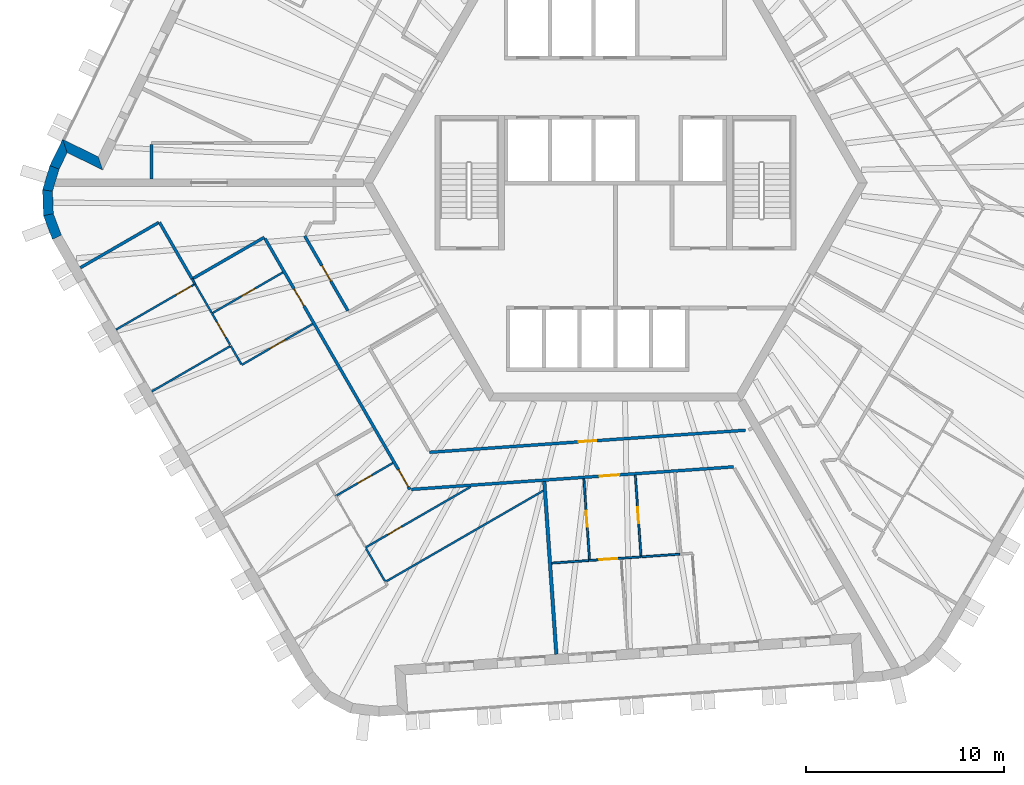
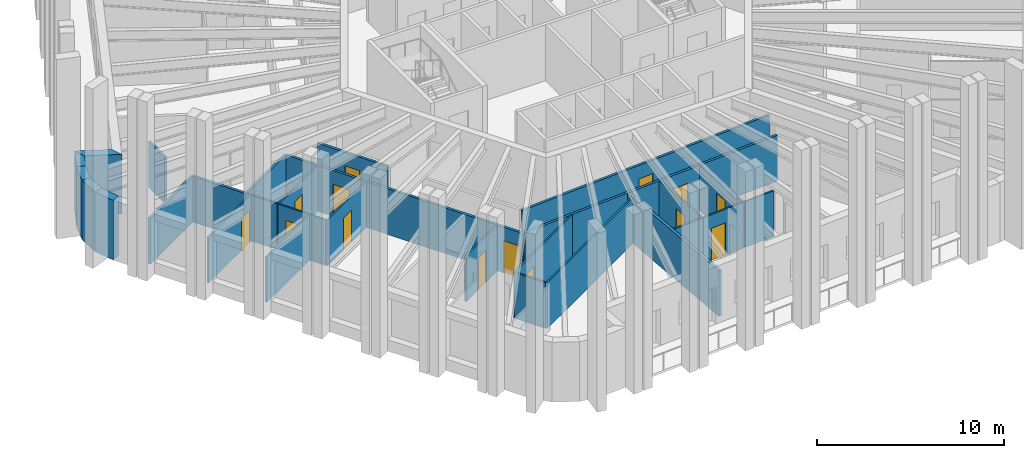
# One storey, part 4 of 13: 31 walls, 14 doors, 14 openings.
"""IFC4 building model written with IfcOpenShell, lengths in metres."""

import ifcopenshell
import ifcopenshell.guid

model = None  # the IFC model being written
_history = None  # IfcOwnerHistory: only IFC2X3 demands one
_inside = {}  # id of a spatial element -> (the spatial element, [elements in it])
_under = {}  # id of a project, library or spatial element -> (it, [spatial elements below it])
_declared = {}  # id of a project -> (the project, [libraries it declares])
_typed = {}  # id of a type object -> (the type object, [elements of that type])
_made_of = {}  # id of a material, layer set ... -> (it, [elements and type objects made of it])


def new_model(schema):
    """Start an empty IFC model of exactly this schema.

    Asked for "IFC4X3", IfcOpenShell would pick the latest addendum, in which some entities
    have other attributes; the version numbers below select the first issue.
    IFC2X3 requires an IfcOwnerHistory on every rooted entity: one is made here for all.
    """
    global model, _history
    if schema == "IFC4X3":
        model = ifcopenshell.file(schema_version=(4, 3, 0, 0))
    else:
        model = ifcopenshell.file(schema=schema)
    _inside.clear()
    _under.clear()
    _declared.clear()
    _typed.clear()
    _made_of.clear()
    _history = None
    if model.schema == "IFC2X3":
        org = make("IfcOrganization", Name="unknown")
        user = make(
            "IfcPersonAndOrganization",
            ThePerson=make("IfcPerson", FamilyName="unknown"),
            TheOrganization=org,
        )
        app = make(
            "IfcApplication",
            ApplicationDeveloper=org,
            Version="unknown",
            ApplicationFullName="unknown",
            ApplicationIdentifier="unknown",
        )
        _history = make(
            "IfcOwnerHistory",
            OwningUser=user,
            OwningApplication=app,
            ChangeAction="ADDED",
            CreationDate=0,
        )
    return model


def make(cls, **values):
    """One entity of the class cls with the attributes given. An attribute that is None is left unset."""
    return model.create_entity(
        cls, **{name: value for name, value in values.items() if value is not None}
    )


def rooted(cls, **values):
    """An entity with a GlobalId (a new one), such as an element, a storey or a relation."""
    return make(cls, GlobalId=ifcopenshell.guid.new(), OwnerHistory=_history, **values)


def si_unit(unit_type, name, prefix=None):
    """IfcSIUnit, for example si_unit("LENGTHUNIT", "METRE", prefix="MILLI")."""
    return make("IfcSIUnit", UnitType=unit_type, Prefix=prefix, Name=name)


def assignment(units):
    """IfcUnitAssignment: the units of a project."""
    return None if units is None else make("IfcUnitAssignment", Units=units)


def point(xyz):
    """IfcCartesianPoint."""
    return None if xyz is None else make("IfcCartesianPoint", Coordinates=xyz)


def direction(xyz):
    """IfcDirection."""
    return None if xyz is None else make("IfcDirection", DirectionRatios=xyz)


def frame(location, z_axis=None, x_axis=None):
    """IfcAxis2Placement3D, a coordinate frame: its origin and axes. An axis left out is left unset."""
    return make(
        "IfcAxis2Placement3D",
        Location=point(location),
        Axis=direction(z_axis),
        RefDirection=direction(x_axis),
    )


def frame_2d(location, x_axis=None):
    """IfcAxis2Placement2D, a coordinate frame in the plane: its origin and x axis."""
    return make(
        "IfcAxis2Placement2D", Location=point(location), RefDirection=direction(x_axis)
    )


def origin():
    """The frame at (0, 0, 0) with its axes left unset."""
    return frame((0.0, 0.0, 0.0))


def place(relative_to, where):
    """IfcLocalPlacement: puts the frame where relative to a parent placement (None: the world)."""
    return make(
        "IfcLocalPlacement", PlacementRelTo=relative_to, RelativePlacement=where
    )


def context(
    kind, dimensions, precision=None, world=None, true_north=None, identifier=None
):
    """IfcGeometricRepresentationContext, for example the 3D "Model" context."""
    return make(
        "IfcGeometricRepresentationContext",
        ContextIdentifier=identifier,
        ContextType=kind,
        CoordinateSpaceDimension=dimensions,
        Precision=precision,
        WorldCoordinateSystem=world,
        TrueNorth=true_north,
    )


def subcontext(parent, identifier, kind, view, scale=None):
    """IfcGeometricRepresentationSubContext, for example "Body" below "Model"."""
    return make(
        "IfcGeometricRepresentationSubContext",
        ContextIdentifier=identifier,
        ContextType=kind,
        ParentContext=parent,
        TargetScale=scale,
        TargetView=view,
    )


def project(units=None, contexts=None):
    """IfcProject with its units and contexts."""
    return rooted(
        "IfcProject",
        Name="project",
        RepresentationContexts=contexts,
        UnitsInContext=assignment(units),
    )


def spatial(cls, under=None, at=None, **own):
    """A site, building, storey or space (cls), placed at a placement, below another one or the project."""
    s = rooted(cls, ObjectPlacement=at, **own)
    if under is not None:
        _under.setdefault(under.id(), (under, []))[1].append(s)
    return s


def polyline(points):
    """IfcPolyline through the points."""
    return make("IfcPolyline", Points=[point(p) for p in points])


def profile(cls, at=None, kind="AREA", **sizes):
    """A parametric profile (cls). Its sizes go by their IFC names, for example OverallWidth=200.0."""
    return make(cls, ProfileType=kind, Position=at, **sizes)


def rectangle(**sizes):
    """IfcRectangleProfileDef."""
    return profile("IfcRectangleProfileDef", **sizes)


def outline(outer, holes=None, kind="AREA"):
    """IfcArbitraryClosedProfileDef: a profile drawn as a closed curve; with holes, ...WithVoids."""
    if holes is None:
        return make("IfcArbitraryClosedProfileDef", ProfileType=kind, OuterCurve=outer)
    return make(
        "IfcArbitraryProfileDefWithVoids",
        ProfileType=kind,
        OuterCurve=outer,
        InnerCurves=holes,
    )


def extrude(swept, where, along, depth):
    """IfcExtrudedAreaSolid: the profile swept, set in the frame where, extruded along a direction by depth."""
    return make(
        "IfcExtrudedAreaSolid",
        SweptArea=swept,
        Position=where,
        ExtrudedDirection=direction(along),
        Depth=depth,
    )


def shape(context_of_items, identifier, shape_type, items):
    """IfcShapeRepresentation: the items that make up one representation, for example the "Body"."""
    return make(
        "IfcShapeRepresentation",
        ContextOfItems=context_of_items,
        RepresentationIdentifier=identifier,
        RepresentationType=shape_type,
        Items=items,
    )


def material(Name=None, Category=None):
    """IfcMaterial."""
    return make("IfcMaterial", Name=Name, Category=Category)


def layer(
    of_material, thickness, ventilated=None, Name=None, Category=None, Priority=None
):
    """IfcMaterialLayer: one layer of a wall or slab, of a material (None: an air gap)."""
    return make(
        "IfcMaterialLayer",
        Material=of_material,
        LayerThickness=thickness,
        IsVentilated=ventilated,
        Name=Name,
        Category=Category,
        Priority=Priority,
    )


def layer_set(layers, Name=None):
    """IfcMaterialLayerSet."""
    return make("IfcMaterialLayerSet", MaterialLayers=layers, LayerSetName=Name)


def made_of(thing, what):
    """Note that an element or type object is made of a material, layer set ...; save() writes the relation."""
    if what is not None:
        _made_of.setdefault(what.id(), (what, []))[1].append(thing)
    return thing


def type_object(cls, material=None, **own):
    """A type object (cls), such as IfcWallType, which elements share."""
    return made_of(rooted(cls, **own), material)


def element(
    cls,
    number,
    at=None,
    inside=None,
    cuts=None,
    type_object=None,
    material=None,
    context=None,
    identifier="Body",
    shape_type=None,
    held_by="IfcProductDefinitionShape",
    body=None,
    shapes=None,
    **own,
):
    """One element of the class cls, such as IfcWall. Its Tag is "e" and its number.

    at: its placement. inside: the storey or other place that contains it. cuts: it is an
    opening in that element (IfcRelVoidsElement). A single representation is given by context,
    identifier, shape_type and body (its items); several are given by shapes. held_by: the class
    of the entity that holds the representations. save() writes the other relations.
    """
    e = rooted(cls, Tag="e%d" % number, ObjectPlacement=at, **own)
    if body is not None:
        shapes = [shape(context, identifier, shape_type, body)]
    if shapes is not None:
        e.Representation = make(held_by, Representations=shapes)
    if inside is not None:
        _inside.setdefault(inside.id(), (inside, []))[1].append(e)
    if cuts is not None:
        rooted(
            "IfcRelVoidsElement", RelatingBuildingElement=cuts, RelatedOpeningElement=e
        )
    if type_object is not None:
        _typed.setdefault(type_object.id(), (type_object, []))[1].append(e)
    return made_of(e, material)


def fill(opening, filler):
    """IfcRelFillsElement: the door or window that sits in an opening."""
    return rooted(
        "IfcRelFillsElement",
        RelatingOpeningElement=opening,
        RelatedBuildingElement=filler,
    )


def aggregate(whole, parts):
    """IfcRelAggregates: a whole, such as a stair, and the parts it consists of."""
    return rooted("IfcRelAggregates", RelatingObject=whole, RelatedObjects=parts)


def save(model, path):
    """Write the relations noted so far, then the file.

    IfcRelAggregates (storeys below a building ...), IfcRelContainedInSpatialStructure (elements
    in a storey), IfcRelDefinesByType, IfcRelAssociatesMaterial and IfcRelDeclares: one each for
    every whole, place, type object, material and project.
    """
    for whole, parts in _under.values():
        aggregate(whole, parts)
    for where, things in _inside.values():
        rooted(
            "IfcRelContainedInSpatialStructure",
            RelatedElements=things,
            RelatingStructure=where,
        )
    for kind, things in _typed.values():
        rooted("IfcRelDefinesByType", RelatedObjects=things, RelatingType=kind)
    for what, things in _made_of.values():
        rooted("IfcRelAssociatesMaterial", RelatedObjects=things, RelatingMaterial=what)
    for by, libraries in _declared.values():
        rooted("IfcRelDeclares", RelatingContext=by, RelatedDefinitions=libraries)
    model.write(path)


model = new_model("IFC4")

# Units and contexts
model_context = context("Model", 3, precision=1e-05, world=origin(), true_north=direction((0.0, 1.0)))
body_context = subcontext(model_context, "Body", "Model", "MODEL_VIEW")
ifc_project = project(units=[si_unit("LENGTHUNIT", "METRE"), si_unit("AREAUNIT", "SQUARE_METRE"), si_unit("VOLUMEUNIT", "CUBIC_METRE"), si_unit("PLANEANGLEUNIT", "RADIAN"), si_unit("MASSUNIT", "GRAM", prefix="KILO")], contexts=[model_context])

# Site, building, storey
site_placement = place(None, origin())
site = spatial("IfcSite", under=ifc_project, at=site_placement, CompositionType="ELEMENT")
building_placement = place(site_placement, origin())
building = spatial("IfcBuilding", under=site, at=building_placement, Name="Tarnside Tower", CompositionType="ELEMENT")
storey_placement = place(building_placement, frame((0.0, 0.0, 314.699951171875)))
storey = spatial("IfcBuildingStorey", under=building, at=storey_placement, Name="L76", CompositionType="ELEMENT", Elevation=314.699951171875)

# Wall, opening, door
ifc_material_1 = material(Name="Gypsum board partition on steel studs", Category="steel")
ifc_layer_1 = layer(ifc_material_1, 0.10009765625)
ifc_layer_set_1 = layer_set([ifc_layer_1], Name="Bathroom wall 100")
wall_type_1 = type_object("IfcWallType", Name="Bathroom wall 100", PredefinedType="PARTITIONING", material=ifc_layer_set_1)
wall_1_placement = place(storey_placement, frame((-16.76123046875, -4.518798828125, 0.0), z_axis=(0.0, 0.0, 1.0), x_axis=(-0.866019999656, -0.500009360108, 0.0)))
wall_1 = element("IfcWall", 1, at=wall_1_placement, inside=storey, type_object=wall_type_1, Name="Bathroom wall 25118", PredefinedType="PARTITIONING", context=body_context, shape_type="SweptSolid", body=[
    extrude(rectangle(XDim=4.125, YDim=0.10009765625, at=frame_2d((2.0625, 0.0))), origin(), (0.0, 0.0, 1.0), 2.98779296875),
])
opening_1_placement = place(wall_1_placement, frame((1.625, 0.0, 0.0)))
opening_1 = element("IfcOpeningElement", 2, at=opening_1_placement, cuts=wall_1, Name="Opening D-B1", PredefinedType="OPENING", context=body_context, shape_type="SweptSolid", body=[
    extrude(rectangle(XDim=0.800048828125, YDim=2.10009765625, at=frame_2d((0.39990234375, 1.050048828125))), frame((0.0, 0.06005859375, 0.0), z_axis=(0.0, -1.0, 0.0), x_axis=(1.0, 0.0, 0.0)), (0.0, 0.0, 1.0), 0.1201171875),
])
ifc_material_2 = material(Name="Timber door leaf", Category="wood")
door_type_1 = type_object("IfcDoorType", Name="Bathroom door 800", OperationType="NOTDEFINED", PredefinedType="DOOR", material=ifc_material_2)
door_1_placement = place(opening_1_placement, origin())
door_1 = element("IfcDoor", 3, at=door_1_placement, inside=storey, type_object=door_type_1, Name="Bathroom door 25023", OperationType="SINGLE_SWING_RIGHT", OverallHeight=2.10009765625, OverallWidth=0.800048828125, PredefinedType="DOOR", context=body_context, shape_type="SweptSolid", body=[
    extrude(rectangle(XDim=0.800048828125, YDim=2.10009765625, at=frame_2d((0.39990234375, 1.050048828125))), frame((0.0, 0.02490234375, 0.0), z_axis=(0.0, -1.0, 0.0), x_axis=(1.0, 0.0, 0.0)), (0.0, 0.0, 1.0), 0.050048828125),
])
fill(opening_1, door_1)

# Walls
wall_2_placement = place(storey_placement, frame((-21.33447265625, -4.84765625, 0.0), z_axis=(0.0, 0.0, 1.0), x_axis=(0.500249908544, -0.865881070934, 0.0)))
element("IfcWall", 4, at=wall_2_placement, inside=storey, type_object=wall_type_1, Name="Bathroom wall 25120", PredefinedType="PARTITIONING", context=body_context, shape_type="SweptSolid", body=[
    extrude(rectangle(XDim=0.293701171875, YDim=0.10009765625, at=frame_2d((0.14697265625, 0.0))), origin(), (0.0, 0.0, 1.0), 2.98779296875),
])
wall_3_placement = place(storey_placement, frame((-21.1875, -5.10205078125, 0.0), z_axis=(0.0, 0.0, 1.0), x_axis=(0.499998264499, -0.866026405774, 0.0)))
element("IfcWall", 5, at=wall_3_placement, inside=storey, type_object=wall_type_1, Name="Bathroom wall 25121", PredefinedType="PARTITIONING", context=body_context, shape_type="SweptSolid", body=[
    extrude(rectangle(XDim=1.66015625, YDim=0.10009765625, at=frame_2d((0.830078125, 0.0))), origin(), (0.0, 0.0, 1.0), 2.98779296875),
])
wall_4_placement = place(storey_placement, frame((-3.640625, -15.525146484375, 0.0), z_axis=(0.0, 0.0, 1.0), x_axis=(-0.866026229868, -0.499998569178, 0.0)))
element("IfcWall", 6, at=wall_4_placement, inside=storey, type_object=wall_type_1, Name="Bathroom wall 25125", PredefinedType="PARTITIONING", context=body_context, shape_type="SweptSolid", body=[
    extrude(rectangle(XDim=9.1845703125, YDim=0.10009765625, at=frame_2d((4.59228515625, 0.0))), origin(), (0.0, 0.0, 1.0), 2.98779296875),
])

# Wall, opening, door
wall_5_placement = place(storey_placement, frame((-11.215087890625, -14.124755859375, 0.0), z_axis=(0.0, 0.0, 1.0), x_axis=(-0.866020521143, -0.500008456887, 0.0)))
wall_5 = element("IfcWall", 7, at=wall_5_placement, inside=storey, type_object=wall_type_1, Name="Bathroom wall 25128", PredefinedType="PARTITIONING", context=body_context, shape_type="SweptSolid", body=[
    extrude(rectangle(XDim=3.3251953125, YDim=0.10009765625, at=frame_2d((1.66259765625, 0.0))), origin(), (0.0, 0.0, 1.0), 2.98779296875),
])
opening_2_placement = place(wall_5_placement, frame((1.22509765625, 0.0, 0.0)))
opening_2 = element("IfcOpeningElement", 8, at=opening_2_placement, cuts=wall_5, Name="Opening D-B1", PredefinedType="OPENING", context=body_context, shape_type="SweptSolid", body=[
    extrude(rectangle(XDim=0.800048828125, YDim=2.10009765625, at=frame_2d((0.39990234375, 1.050048828125))), frame((0.0, 0.06005859375, 0.0), z_axis=(0.0, -1.0, 0.0), x_axis=(1.0, 0.0, 0.0)), (0.0, 0.0, 1.0), 0.1201171875),
])
door_2_placement = place(opening_2_placement, origin())
door_2 = element("IfcDoor", 9, at=door_2_placement, inside=storey, type_object=door_type_1, Name="Bathroom door 25030", OperationType="SINGLE_SWING_RIGHT", OverallHeight=2.10009765625, OverallWidth=0.800048828125, PredefinedType="DOOR", context=body_context, shape_type="SweptSolid", body=[
    extrude(rectangle(XDim=0.800048828125, YDim=2.10009765625, at=frame_2d((0.39990234375, 1.050048828125))), frame((0.0, 0.02490234375, 0.0), z_axis=(0.0, -1.0, 0.0), x_axis=(1.0, 0.0, 0.0)), (0.0, 0.0, 1.0), 0.050048828125),
])
fill(opening_2, door_2)

wall_6_placement = place(storey_placement, frame((-12.5947265625, -18.38525390625, 0.0), z_axis=(0.0, 0.0, 1.0), x_axis=(0.866031041839, 0.499990234476, 0.0)))
wall_6 = element("IfcWall", 10, at=wall_6_placement, inside=storey, type_object=wall_type_1, Name="Bathroom wall 25131", PredefinedType="PARTITIONING", context=body_context, shape_type="SweptSolid", body=[
    extrude(rectangle(XDim=6.12939453125, YDim=0.10009765625, at=frame_2d((3.064697265625, 0.0))), origin(), (0.0, 0.0, 1.0), 2.98779296875),
])
opening_3_placement = place(wall_6_placement, frame((1.300048828125, 0.0, 0.0)))
opening_3 = element("IfcOpeningElement", 11, at=opening_3_placement, cuts=wall_6, Name="Opening D-B1", PredefinedType="OPENING", context=body_context, shape_type="SweptSolid", body=[
    extrude(rectangle(XDim=0.800048828125, YDim=2.10009765625, at=frame_2d((0.39990234375, 1.050048828125))), frame((0.0, 0.06005859375, 0.0), z_axis=(0.0, -1.0, 0.0), x_axis=(1.0, 0.0, 0.0)), (0.0, 0.0, 1.0), 0.1201171875),
])
door_3_placement = place(opening_3_placement, origin())
door_3 = element("IfcDoor", 12, at=door_3_placement, inside=storey, type_object=door_type_1, Name="Bathroom door 25037", OperationType="SINGLE_SWING_RIGHT", OverallHeight=2.10009765625, OverallWidth=0.800048828125, PredefinedType="DOOR", context=body_context, shape_type="SweptSolid", body=[
    extrude(rectangle(XDim=0.800048828125, YDim=2.10009765625, at=frame_2d((0.39990234375, 1.050048828125))), frame((0.0, 0.02490234375, 0.0), z_axis=(0.0, -1.0, 0.0), x_axis=(1.0, 0.0, 0.0)), (0.0, 0.0, 1.0), 0.050048828125),
])
fill(opening_3, door_3)

# Wall
wall_7_placement = place(storey_placement, frame((-11.61962890625, -20.073974609375, 0.0), z_axis=(0.0, 0.0, 1.0), x_axis=(-0.500119165741, 0.865956592479, 0.0)))
element("IfcWall", 13, at=wall_7_placement, inside=storey, type_object=wall_type_1, Name="Bathroom wall 25134", PredefinedType="PARTITIONING", context=body_context, shape_type="SweptSolid", body=[
    extrude(rectangle(XDim=1.89990234375, YDim=0.10009765625, at=frame_2d((0.949951171875, 0.0))), origin(), (0.0, 0.0, 1.0), 2.98779296875),
])

# Wall, opening, door
wall_8_placement = place(storey_placement, frame((-1.587646484375, -14.922119140625, 0.0), z_axis=(0.0, 0.0, 1.0), x_axis=(0.069720168556, -0.997566588302, 0.0)))
wall_8 = element("IfcWall", 14, at=wall_8_placement, inside=storey, type_object=wall_type_1, Name="Bathroom wall 25139", PredefinedType="PARTITIONING", context=body_context, shape_type="SweptSolid", body=[
    extrude(rectangle(XDim=4.125, YDim=0.10009765625, at=frame_2d((2.0625, 0.0))), origin(), (0.0, 0.0, 1.0), 2.98779296875),
])
opening_4_placement = place(wall_8_placement, frame((1.625, 0.0, 0.0)))
opening_4 = element("IfcOpeningElement", 15, at=opening_4_placement, cuts=wall_8, Name="Opening D-B1", PredefinedType="OPENING", context=body_context, shape_type="SweptSolid", body=[
    extrude(rectangle(XDim=0.800048828125, YDim=2.10009765625, at=frame_2d((0.39990234375, 1.050048828125))), frame((0.0, 0.06005859375, 0.0), z_axis=(0.0, -1.0, 0.0), x_axis=(1.0, 0.0, 0.0)), (0.0, 0.0, 1.0), 0.1201171875),
])
door_4_placement = place(opening_4_placement, origin())
door_4 = element("IfcDoor", 16, at=door_4_placement, inside=storey, type_object=door_type_1, Name="Bathroom door 25039", OperationType="SINGLE_SWING_RIGHT", OverallHeight=2.10009765625, OverallWidth=0.800048828125, PredefinedType="DOOR", context=body_context, shape_type="SweptSolid", body=[
    extrude(rectangle(XDim=0.800048828125, YDim=2.10009765625, at=frame_2d((0.39990234375, 1.050048828125))), frame((0.0, 0.02490234375, 0.0), z_axis=(0.0, -1.0, 0.0), x_axis=(1.0, 0.0, 0.0)), (0.0, 0.0, 1.0), 0.050048828125),
])
fill(opening_4, door_4)

wall_9_placement = place(storey_placement, frame((1.293701171875, -18.855712890625, 0.0), z_axis=(0.0, 0.0, 1.0), x_axis=(-0.069720168556, 0.997566588302, 0.0)))
wall_9 = element("IfcWall", 17, at=wall_9_placement, inside=storey, type_object=wall_type_1, Name="Bathroom wall 25142", PredefinedType="PARTITIONING", context=body_context, shape_type="SweptSolid", body=[
    extrude(rectangle(XDim=4.125, YDim=0.10009765625, at=frame_2d((2.0625, 0.0))), origin(), (0.0, 0.0, 1.0), 2.98779296875),
])
opening_5_placement = place(wall_9_placement, frame((1.699951171875, 0.0, 0.0)))
opening_5 = element("IfcOpeningElement", 18, at=opening_5_placement, cuts=wall_9, Name="Opening D-B1", PredefinedType="OPENING", context=body_context, shape_type="SweptSolid", body=[
    extrude(rectangle(XDim=0.800048828125, YDim=2.10009765625, at=frame_2d((0.39990234375, 1.050048828125))), frame((0.0, 0.06005859375, 0.0), z_axis=(0.0, -1.0, 0.0), x_axis=(1.0, 0.0, 0.0)), (0.0, 0.0, 1.0), 0.1201171875),
])
door_5_placement = place(opening_5_placement, origin())
door_5 = element("IfcDoor", 19, at=door_5_placement, inside=storey, type_object=door_type_1, Name="Bathroom door 25046", OperationType="SINGLE_SWING_LEFT", OverallHeight=2.10009765625, OverallWidth=0.800048828125, PredefinedType="DOOR", context=body_context, shape_type="SweptSolid", body=[
    extrude(rectangle(XDim=0.800048828125, YDim=2.10009765625, at=frame_2d((0.39990234375, 1.050048828125))), frame((0.0, 0.02490234375, 0.0), z_axis=(0.0, -1.0, 0.0), x_axis=(1.0, 0.0, 0.0)), (0.0, 0.0, 1.0), 0.050048828125),
])
fill(opening_5, door_5)

# Walls
wall_10_placement = place(storey_placement, frame((-3.205322265625, -19.17041015625, 0.0), z_axis=(0.0, 0.0, 1.0), x_axis=(0.99755494671, 0.069886538722, 0.0)))
element("IfcWall", 20, at=wall_10_placement, inside=storey, type_object=wall_type_1, Name="Bathroom wall 25143", PredefinedType="PARTITIONING", context=body_context, shape_type="SweptSolid", body=[
    extrude(rectangle(XDim=1.862060546875, YDim=0.10009765625, at=frame_2d((0.93115234375, 0.0))), origin(), (0.0, 0.0, 1.0), 2.98779296875),
])
wall_11_placement = place(storey_placement, frame((3.239013671875, -18.7197265625, 0.0), z_axis=(0.0, 0.0, 1.0), x_axis=(-0.997563261324, -0.069767755139, 0.0)))
element("IfcWall", 21, at=wall_11_placement, inside=storey, type_object=wall_type_1, Name="Bathroom wall 25145", PredefinedType="PARTITIONING", context=body_context, shape_type="SweptSolid", body=[
    extrude(rectangle(XDim=1.900146484375, YDim=0.10009765625, at=frame_2d((0.9501953125, 0.0))), origin(), (0.0, 0.0, 1.0), 2.98779296875),
])
ifc_layer_2 = layer(ifc_material_1, 0.14990234375)
ifc_layer_set_2 = layer_set([ifc_layer_2], Name="Corridor wall 150 EI 60")
wall_type_2 = type_object("IfcWallType", Name="Corridor wall 150 EI 60", PredefinedType="PARTITIONING", material=ifc_layer_set_2)
wall_12_placement = place(storey_placement, frame((-23.3740234375, 1.925048828125, 0.0), z_axis=(0.0, 0.0, 1.0), x_axis=(0.0, -1.0, 0.0)))
element("IfcWall", 22, at=wall_12_placement, inside=storey, type_object=wall_type_2, Name="Corridor wall 25018", PredefinedType="PARTITIONING", context=body_context, shape_type="SweptSolid", body=[
    extrude(rectangle(XDim=1.72509765625, YDim=0.14990234375, at=frame_2d((0.862548828125, 0.0))), origin(), (0.0, 0.0, 1.0), 2.98779296875),
])

# Wall, openings, doors
wall_13_placement = place(storey_placement, frame((-17.65869140625, -2.814208984375, 0.0), z_axis=(0.0, 0.0, 1.0), x_axis=(0.499992611149, -0.866029669697, 0.0)))
wall_13 = element("IfcWall", 23, at=wall_13_placement, inside=storey, type_object=wall_type_2, Name="Corridor wall 25028", PredefinedType="PARTITIONING", context=body_context, shape_type="SweptSolid", body=[
    extrude(rectangle(XDim=14.602294921875, YDim=0.14990234375, at=frame_2d((7.30126953125, 0.0))), origin(), (0.0, 0.0, 1.0), 2.98779296875),
])
opening_6_placement = place(wall_13_placement, frame((2.925048828125, 0.0, 0.0)))
opening_6 = element("IfcOpeningElement", 24, at=opening_6_placement, cuts=wall_13, Name="Opening D-E1", PredefinedType="OPENING", context=body_context, shape_type="SweptSolid", body=[
    extrude(rectangle(XDim=1.0, YDim=2.10009765625, at=frame_2d((0.5, 1.050048828125))), frame((0.0, 0.0849609375, 0.0), z_axis=(0.0, -1.0, 0.0), x_axis=(1.0, 0.0, 0.0)), (0.0, 0.0, 1.0), 0.169921875),
])
opening_7_placement = place(wall_13_placement, frame((13.4521484375, 0.0, 0.0)))
opening_7 = element("IfcOpeningElement", 25, at=opening_7_placement, cuts=wall_13, Name="Opening D-E1", PredefinedType="OPENING", context=body_context, shape_type="SweptSolid", body=[
    extrude(rectangle(XDim=1.0, YDim=2.10009765625, at=frame_2d((0.5, 1.050048828125))), frame((0.0, 0.0849609375, 0.0), z_axis=(0.0, -1.0, 0.0), x_axis=(1.0, 0.0, 0.0)), (0.0, 0.0, 1.0), 0.169921875),
])
door_type_2 = type_object("IfcDoorType", Name="Unit entrance door 1000 FD30S", OperationType="NOTDEFINED", PredefinedType="DOOR", material=ifc_material_2)
door_6_placement = place(opening_6_placement, origin())
door_6 = element("IfcDoor", 26, at=door_6_placement, inside=storey, type_object=door_type_2, Name="Unit door 25022", OperationType="SINGLE_SWING_RIGHT", OverallHeight=2.10009765625, OverallWidth=1.0, PredefinedType="DOOR", context=body_context, shape_type="SweptSolid", body=[
    extrude(rectangle(XDim=1.0, YDim=2.10009765625, at=frame_2d((0.5, 1.050048828125))), frame((0.0, 0.02490234375, 0.0), z_axis=(0.0, -1.0, 0.0), x_axis=(1.0, 0.0, 0.0)), (0.0, 0.0, 1.0), 0.050048828125),
])
fill(opening_6, door_6)
door_7_placement = place(opening_7_placement, origin())
door_7 = element("IfcDoor", 27, at=door_7_placement, inside=storey, type_object=door_type_2, Name="Unit door 25029", OperationType="SINGLE_SWING_LEFT", OverallHeight=2.10009765625, OverallWidth=1.0, PredefinedType="DOOR", context=body_context, shape_type="SweptSolid", body=[
    extrude(rectangle(XDim=1.0, YDim=2.10009765625, at=frame_2d((0.5, 1.050048828125))), frame((0.0, 0.02490234375, 0.0), z_axis=(0.0, -1.0, 0.0), x_axis=(1.0, 0.0, 0.0)), (0.0, 0.0, 1.0), 0.050048828125),
])
fill(opening_7, door_7)

# Walls
wall_14_placement = place(storey_placement, frame((-21.33349609375, -4.849365234375, 0.0), z_axis=(0.0, 0.0, 1.0), x_axis=(0.866009402589, 0.500027713859, 0.0)))
element("IfcWall", 28, at=wall_14_placement, inside=storey, type_object=wall_type_2, Name="Corridor wall 25030", PredefinedType="PARTITIONING", context=body_context, shape_type="SweptSolid", body=[
    extrude(rectangle(XDim=4.199951171875, YDim=0.14990234375, at=frame_2d((2.10009765625, 0.0))), origin(), (0.0, 0.0, 1.0), 2.98779296875),
])
wall_15_placement = place(storey_placement, frame((-26.97119140625, -4.284423828125, 0.0), z_axis=(0.0, 0.0, 1.0), x_axis=(0.866028083473, 0.499995358614, 0.0)))
element("IfcWall", 29, at=wall_15_placement, inside=storey, type_object=wall_type_2, Name="Corridor wall 25032", PredefinedType="PARTITIONING", context=body_context, shape_type="SweptSolid", body=[
    extrude(rectangle(XDim=4.56884765625, YDim=0.14990234375, at=frame_2d((2.284423828125, 0.0))), origin(), (0.0, 0.0, 1.0), 2.98779296875),
])
wall_16_placement = place(storey_placement, frame((-22.978515625, -2.0, 0.0), z_axis=(0.0, 0.0, 1.0), x_axis=(0.499989815132, -0.866031283941, 0.0)))
element("IfcWall", 30, at=wall_16_placement, inside=storey, type_object=wall_type_2, Name="Corridor wall 25033", PredefinedType="PARTITIONING", context=body_context, shape_type="SweptSolid", body=[
    extrude(rectangle(XDim=3.29345703125, YDim=0.14990234375, at=frame_2d((1.646728515625, 0.0))), origin(), (0.0, 0.0, 1.0), 2.98779296875),
])

# Wall, opening, door
wall_17_placement = place(storey_placement, frame((-10.2744140625, -15.454345703125, 0.0), z_axis=(0.0, 0.0, 1.0), x_axis=(0.997564284069, 0.069753130035, 0.0)))
wall_17 = element("IfcWall", 31, at=wall_17_placement, inside=storey, type_object=wall_type_2, Name="Corridor wall 25035", PredefinedType="PARTITIONING", context=body_context, shape_type="SweptSolid", body=[
    extrude(rectangle(XDim=16.271728515625, YDim=0.14990234375, at=frame_2d((8.1357421875, 0.0))), origin(), (0.0, 0.0, 1.0), 2.98779296875),
])
opening_8_placement = place(wall_17_placement, frame((9.502685546875, 0.0, 0.0)))
opening_8 = element("IfcOpeningElement", 32, at=opening_8_placement, cuts=wall_17, Name="Opening D-E1", PredefinedType="OPENING", context=body_context, shape_type="SweptSolid", body=[
    extrude(rectangle(XDim=1.0, YDim=2.10009765625, at=frame_2d((0.5, 1.050048828125))), frame((0.0, 0.0849609375, 0.0), z_axis=(0.0, -1.0, 0.0), x_axis=(1.0, 0.0, 0.0)), (0.0, 0.0, 1.0), 0.169921875),
])
door_8_placement = place(opening_8_placement, origin())
door_8 = element("IfcDoor", 33, at=door_8_placement, inside=storey, type_object=door_type_2, Name="Unit door 25038", OperationType="SINGLE_SWING_RIGHT", OverallHeight=2.10009765625, OverallWidth=1.0, PredefinedType="DOOR", context=body_context, shape_type="SweptSolid", body=[
    extrude(rectangle(XDim=1.0, YDim=2.10009765625, at=frame_2d((0.5, 1.050048828125))), frame((0.0, 0.02490234375, 0.0), z_axis=(0.0, -1.0, 0.0), x_axis=(1.0, 0.0, 0.0)), (0.0, 0.0, 1.0), 0.050048828125),
])
fill(opening_8, door_8)

wall_18_placement = place(storey_placement, frame((-13.480712890625, -6.45068359375, 0.0), z_axis=(0.0, 0.0, 1.0), x_axis=(-0.499990905326, 0.866030654533, 0.0)))
wall_18 = element("IfcWall", 34, at=wall_18_placement, inside=storey, type_object=wall_type_2, Name="Corridor wall 25045", PredefinedType="PARTITIONING", context=body_context, shape_type="SweptSolid", body=[
    extrude(rectangle(XDim=4.35595703125, YDim=0.14990234375, at=frame_2d((2.177978515625, 0.0))), origin(), (0.0, 0.0, 1.0), 2.98779296875),
])
opening_9_placement = place(wall_18_placement, frame((1.72802734375, 0.0, 0.0)))
opening_9 = element("IfcOpeningElement", 35, at=opening_9_placement, cuts=wall_18, Name="Opening D-S1", PredefinedType="OPENING", context=body_context, shape_type="SweptSolid", body=[
    extrude(rectangle(XDim=0.89990234375, YDim=2.10009765625, at=frame_2d((0.449951171875, 1.050048828125))), frame((0.0, 0.0849609375, 0.0), z_axis=(0.0, -1.0, 0.0), x_axis=(1.0, 0.0, 0.0)), (0.0, 0.0, 1.0), 0.169921875),
])
door_type_3 = type_object("IfcDoorType", Name="Service room door 900 FD30S", OperationType="NOTDEFINED", PredefinedType="DOOR", material=ifc_material_2)
door_9_placement = place(opening_9_placement, origin())
door_9 = element("IfcDoor", 36, at=door_9_placement, inside=storey, type_object=door_type_3, Name="Service door 25073", OperationType="SINGLE_SWING_RIGHT", OverallHeight=2.10009765625, OverallWidth=0.89990234375, PredefinedType="DOOR", context=body_context, shape_type="SweptSolid", body=[
    extrude(rectangle(XDim=0.89990234375, YDim=2.10009765625, at=frame_2d((0.449951171875, 1.050048828125))), frame((0.0, 0.02490234375, 0.0), z_axis=(0.0, -1.0, 0.0), x_axis=(1.0, 0.0, 0.0)), (0.0, 0.0, 1.0), 0.050048828125),
])
fill(opening_9, door_9)

wall_19_placement = place(storey_placement, frame((6.550537109375, -12.473388671875, 0.0), z_axis=(0.0, 0.0, 1.0), x_axis=(-0.997563421853, -0.069765459797, 0.0)))
wall_19 = element("IfcWall", 37, at=wall_19_placement, inside=storey, type_object=wall_type_2, Name="Corridor wall 25050", PredefinedType="PARTITIONING", context=body_context, shape_type="SweptSolid", body=[
    extrude(rectangle(XDim=15.950439453125, YDim=0.14990234375, at=frame_2d((7.97509765625, 0.0))), origin(), (0.0, 0.0, 1.0), 2.98779296875),
])
opening_10_placement = place(wall_19_placement, frame((7.525146484375, 0.0, 0.0)))
opening_10 = element("IfcOpeningElement", 38, at=opening_10_placement, cuts=wall_19, Name="Opening D-S1", PredefinedType="OPENING", context=body_context, shape_type="SweptSolid", body=[
    extrude(rectangle(XDim=0.89990234375, YDim=2.10009765625, at=frame_2d((0.449951171875, 1.050048828125))), frame((0.0, 0.0849609375, 0.0), z_axis=(0.0, -1.0, 0.0), x_axis=(1.0, 0.0, 0.0)), (0.0, 0.0, 1.0), 0.169921875),
])
door_10_placement = place(opening_10_placement, origin())
door_10 = element("IfcDoor", 39, at=door_10_placement, inside=storey, type_object=door_type_3, Name="Service door 25074", OperationType="SINGLE_SWING_RIGHT", OverallHeight=2.10009765625, OverallWidth=0.89990234375, PredefinedType="DOOR", context=body_context, shape_type="SweptSolid", body=[
    extrude(rectangle(XDim=0.89990234375, YDim=2.10009765625, at=frame_2d((0.449951171875, 1.050048828125))), frame((0.0, 0.02490234375, 0.0), z_axis=(0.0, -1.0, 0.0), x_axis=(1.0, 0.0, 0.0)), (0.0, 0.0, 1.0), 0.050048828125),
])
fill(opening_10, door_10)

# Walls
ifc_layer_3 = layer(ifc_material_1, 0.179931640625)
ifc_layer_set_3 = layer_set([ifc_layer_3], Name="Demising wall 180 EI 60")
wall_type_3 = type_object("IfcWallType", Name="Demising wall 180 EI 60", PredefinedType="PARTITIONING", material=ifc_layer_set_3)
wall_20_placement = place(storey_placement, frame((-2.97412109375, -23.765380859375, 0.0), z_axis=(0.0, 0.0, 1.0), x_axis=(-0.06975756604, 0.997563973878, 0.0)))
element("IfcWall", 40, at=wall_20_placement, inside=storey, type_object=wall_type_3, Name="Demising wall 25126", PredefinedType="PARTITIONING", context=body_context, shape_type="SweptSolid", body=[
    extrude(rectangle(XDim=8.72509765625, YDim=0.179931640625, at=frame_2d((4.362548828125, 0.0))), origin(), (0.0, 0.0, 1.0), 2.98779296875),
])
ifc_material_3 = material(Name="Dark zinc cladding")
ifc_layer_4 = layer(ifc_material_3, 0.10205078125)
ifc_material_4 = material(Name="Concrete C60/75 precast", Category="concrete")
ifc_layer_5 = layer(ifc_material_4, 0.298095703125)
ifc_material_5 = material(Name="Mineral wool insulation")
ifc_layer_6 = layer(ifc_material_5, 0.10009765625)
ifc_layer_set_4 = layer_set([ifc_layer_4, ifc_layer_5, ifc_layer_6], Name="Loggia wall 500 zinc faced")
wall_type_4 = type_object("IfcWallType", Name="Loggia wall 500 zinc faced", PredefinedType="SOLIDWALL", material=ifc_layer_set_4)
wall_21_placement = place(storey_placement, frame((-25.9482421875, 0.97607421875, -0.14990234375), z_axis=(0.0, 0.0, 1.0), x_axis=(-0.898802465371, 0.438353884714, 0.0)))
element("IfcWall", 41, at=wall_21_placement, inside=storey, type_object=wall_type_4, Name="Tube wall L76 F2 return 07", PredefinedType="SOLIDWALL", context=body_context, shape_type="SweptSolid", body=[
    extrude(outline(polyline([(0.25, -0.25), (2.25, -0.25), (1.75, 0.25), (-0.25, 0.25), (0.25, -0.25)])), origin(), (0.0, 0.0, 1.0), 3.89990234375),
])
wall_22_placement = place(storey_placement, frame((-27.745849609375, 1.852783203125, -0.14990234375), z_axis=(0.0, 0.0, 1.0), x_axis=(-0.438319390103, -0.898819287877, 0.0)))
element("IfcWall", 42, at=wall_22_placement, inside=storey, type_object=wall_type_4, Name="Tube wall L76 F2 stub 08", PredefinedType="SOLIDWALL", context=body_context, shape_type="SweptSolid", body=[
    extrude(outline(polyline([(-0.25, -0.25), (1.22021484375, -0.25), (1.17919921875, 0.25), (0.25, 0.25), (-0.25, -0.25)])), origin(), (0.0, 0.0, 1.0), 3.89990234375),
])

# Wall, opening, door
ifc_layer_7 = layer(ifc_material_1, 0.10009765625)
ifc_layer_set_5 = layer_set([ifc_layer_7], Name="Partition 100")
wall_type_5 = type_object("IfcWallType", Name="Partition 100", PredefinedType="PARTITIONING", material=ifc_layer_set_5)
wall_23_placement = place(storey_placement, frame((-15.26123046875, -7.116943359375, 0.0), z_axis=(0.0, 0.0, 1.0), x_axis=(-0.866019999656, -0.500009360108, 0.0)))
wall_23 = element("IfcWall", 43, at=wall_23_placement, inside=storey, type_object=wall_type_5, Name="Partition wall 25113", PredefinedType="PARTITIONING", context=body_context, shape_type="SweptSolid", body=[
    extrude(rectangle(XDim=4.125, YDim=0.10009765625, at=frame_2d((2.0625, 0.0))), origin(), (0.0, 0.0, 1.0), 2.98779296875),
])
opening_11_placement = place(wall_23_placement, frame((1.574951171875, 0.0, 0.0)))
opening_11 = element("IfcOpeningElement", 44, at=opening_11_placement, cuts=wall_23, Name="Opening D-I1", PredefinedType="OPENING", context=body_context, shape_type="SweptSolid", body=[
    extrude(rectangle(XDim=0.89990234375, YDim=2.10009765625, at=frame_2d((0.449951171875, 1.050048828125))), frame((0.0, 0.06005859375, 0.0), z_axis=(0.0, -1.0, 0.0), x_axis=(1.0, 0.0, 0.0)), (0.0, 0.0, 1.0), 0.1201171875),
])
door_type_4 = type_object("IfcDoorType", Name="Internal door 900", OperationType="NOTDEFINED", PredefinedType="DOOR", material=ifc_material_2)
door_11_placement = place(opening_11_placement, origin())
door_11 = element("IfcDoor", 45, at=door_11_placement, inside=storey, type_object=door_type_4, Name="Internal door 25024", OperationType="SINGLE_SWING_RIGHT", OverallHeight=2.10009765625, OverallWidth=0.89990234375, PredefinedType="DOOR", context=body_context, shape_type="SweptSolid", body=[
    extrude(rectangle(XDim=0.89990234375, YDim=2.10009765625, at=frame_2d((0.449951171875, 1.050048828125))), frame((0.0, 0.02490234375, 0.0), z_axis=(0.0, -1.0, 0.0), x_axis=(1.0, 0.0, 0.0)), (0.0, 0.0, 1.0), 0.050048828125),
])
fill(opening_11, door_11)

# Walls
wall_24_placement = place(storey_placement, frame((-18.8583984375, -9.13623046875, 0.0), z_axis=(0.0, 0.0, 1.0), x_axis=(-0.499928435111, 0.86606671785, 0.0)))
element("IfcWall", 46, at=wall_24_placement, inside=storey, type_object=wall_type_5, Name="Partition wall 25114", PredefinedType="PARTITIONING", context=body_context, shape_type="SweptSolid", body=[
    extrude(rectangle(XDim=1.060302734375, YDim=0.10009765625, at=frame_2d((0.5302734375, 0.0))), origin(), (0.0, 0.0, 1.0), 2.98779296875),
])
wall_25_placement = place(storey_placement, frame((-19.430908203125, -8.244873046875, 0.0), z_axis=(0.0, 0.0, 1.0), x_axis=(-0.866035472144, -0.499982560684, 0.0)))
element("IfcWall", 47, at=wall_25_placement, inside=storey, type_object=wall_type_5, Name="Partition wall 25115", PredefinedType="PARTITIONING", context=body_context, shape_type="SweptSolid", body=[
    extrude(rectangle(XDim=4.550048828125, YDim=0.10009765625, at=frame_2d((2.27490234375, 0.0))), origin(), (0.0, 0.0, 1.0), 2.98779296875),
])

# Wall, opening, door
wall_26_placement = place(storey_placement, frame((-20.33447265625, -6.57958984375, 0.0), z_axis=(0.0, 0.0, 1.0), x_axis=(0.499955500775, -0.8660510939, 0.0)))
wall_26 = element("IfcWall", 48, at=wall_26_placement, inside=storey, type_object=wall_type_5, Name="Partition wall 25119", PredefinedType="PARTITIONING", context=body_context, shape_type="SweptSolid", body=[
    extrude(rectangle(XDim=1.843994140625, YDim=0.10009765625, at=frame_2d((0.921875, 0.0))), origin(), (0.0, 0.0, 1.0), 2.98779296875),
])
opening_12_placement = place(wall_26_placement, frame((0.498046875, 0.0, 0.0)))
opening_12 = element("IfcOpeningElement", 49, at=opening_12_placement, cuts=wall_26, Name="Opening D-I1", PredefinedType="OPENING", context=body_context, shape_type="SweptSolid", body=[
    extrude(rectangle(XDim=0.89990234375, YDim=2.10009765625, at=frame_2d((0.449951171875, 1.050048828125))), frame((0.0, 0.06005859375, 0.0), z_axis=(0.0, -1.0, 0.0), x_axis=(1.0, 0.0, 0.0)), (0.0, 0.0, 1.0), 0.1201171875),
])
door_12_placement = place(opening_12_placement, origin())
door_12 = element("IfcDoor", 50, at=door_12_placement, inside=storey, type_object=door_type_4, Name="Internal door 25028", OperationType="SINGLE_SWING_LEFT", OverallHeight=2.10009765625, OverallWidth=0.89990234375, PredefinedType="DOOR", context=body_context, shape_type="SweptSolid", body=[
    extrude(rectangle(XDim=0.89990234375, YDim=2.10009765625, at=frame_2d((0.449951171875, 1.050048828125))), frame((0.0, 0.02490234375, 0.0), z_axis=(0.0, -1.0, 0.0), x_axis=(1.0, 0.0, 0.0)), (0.0, 0.0, 1.0), 0.050048828125),
])
fill(opening_12, door_12)

wall_27_placement = place(storey_placement, frame((-25.171142578125, -7.402099609375, 0.0), z_axis=(0.0, 0.0, 1.0), x_axis=(0.866022057717, 0.500005795514, 0.0)))
wall_27 = element("IfcWall", 51, at=wall_27_placement, inside=storey, type_object=wall_type_5, Name="Partition wall 25122", PredefinedType="PARTITIONING", context=body_context, shape_type="SweptSolid", body=[
    extrude(rectangle(XDim=4.5498046875, YDim=0.10009765625, at=frame_2d((2.27490234375, 0.0))), origin(), (0.0, 0.0, 1.0), 2.98779296875),
])
opening_13_placement = place(wall_27_placement, frame((3.5, 0.0, 0.0)))
opening_13 = element("IfcOpeningElement", 52, at=opening_13_placement, cuts=wall_27, Name="Opening D-I1", PredefinedType="OPENING", context=body_context, shape_type="SweptSolid", body=[
    extrude(rectangle(XDim=0.89990234375, YDim=2.10009765625, at=frame_2d((0.449951171875, 1.050048828125))), frame((0.0, 0.06005859375, 0.0), z_axis=(0.0, -1.0, 0.0), x_axis=(1.0, 0.0, 0.0)), (0.0, 0.0, 1.0), 0.1201171875),
])
door_13_placement = place(opening_13_placement, origin())
door_13 = element("IfcDoor", 53, at=door_13_placement, inside=storey, type_object=door_type_4, Name="Internal door 25027", OperationType="SINGLE_SWING_RIGHT", OverallHeight=2.10009765625, OverallWidth=0.89990234375, PredefinedType="DOOR", context=body_context, shape_type="SweptSolid", body=[
    extrude(rectangle(XDim=0.89990234375, YDim=2.10009765625, at=frame_2d((0.449951171875, 1.050048828125))), frame((0.0, 0.02490234375, 0.0), z_axis=(0.0, -1.0, 0.0), x_axis=(1.0, 0.0, 0.0)), (0.0, 0.0, 1.0), 0.050048828125),
])
fill(opening_13, door_13)

wall_28_placement = place(storey_placement, frame((-1.302001953125, -19.037109375, 0.0), z_axis=(0.0, 0.0, 1.0), x_axis=(0.997564189086, 0.06975448841, 0.0)))
wall_28 = element("IfcWall", 54, at=wall_28_placement, inside=storey, type_object=wall_type_5, Name="Partition wall 25140", PredefinedType="PARTITIONING", context=body_context, shape_type="SweptSolid", body=[
    extrude(rectangle(XDim=2.60400390625, YDim=0.10009765625, at=frame_2d((1.302001953125, 0.0))), origin(), (0.0, 0.0, 1.0), 2.98779296875),
])
opening_14_placement = place(wall_28_placement, frame((0.501953125, 0.0, 0.0)))
opening_14 = element("IfcOpeningElement", 55, at=opening_14_placement, cuts=wall_28, Name="Opening D-I1", PredefinedType="OPENING", context=body_context, shape_type="SweptSolid", body=[
    extrude(rectangle(XDim=0.89990234375, YDim=2.10009765625, at=frame_2d((0.449951171875, 1.050048828125))), frame((0.0, 0.06005859375, 0.0), z_axis=(0.0, -1.0, 0.0), x_axis=(1.0, 0.0, 0.0)), (0.0, 0.0, 1.0), 0.1201171875),
])
door_14_placement = place(opening_14_placement, origin())
door_14 = element("IfcDoor", 56, at=door_14_placement, inside=storey, type_object=door_type_4, Name="Internal door 25041", OperationType="SINGLE_SWING_LEFT", OverallHeight=2.10009765625, OverallWidth=0.89990234375, PredefinedType="DOOR", context=body_context, shape_type="SweptSolid", body=[
    extrude(rectangle(XDim=0.89990234375, YDim=2.10009765625, at=frame_2d((0.449951171875, 1.050048828125))), frame((0.0, 0.02490234375, 0.0), z_axis=(0.0, -1.0, 0.0), x_axis=(1.0, 0.0, 0.0)), (0.0, 0.0, 1.0), 0.050048828125),
])
fill(opening_14, door_14)

# Walls
ifc_material_6 = material(Name="Facing brick", Category="masonry")
ifc_layer_8 = layer(ifc_material_6, 0.10205078125)
ifc_layer_9 = layer(ifc_material_4, 0.298095703125)
ifc_layer_10 = layer(ifc_material_5, 0.10009765625)
ifc_layer_set_6 = layer_set([ifc_layer_8, ifc_layer_9, ifc_layer_10], Name="Tube wall 500 brick faced")
wall_type_6 = type_object("IfcWallType", Name="Tube wall 500 brick faced", PredefinedType="SOLIDWALL", material=ifc_layer_set_6)
wall_29_placement = place(storey_placement, frame((-28.271728515625, 0.7744140625, -0.14990234375), z_axis=(0.0, 0.0, 1.0), x_axis=(-0.286813843218, -0.957986335674, 0.0)))
element("IfcWall", 57, at=wall_29_placement, inside=storey, type_object=wall_type_6, Name="Tube wall L76 F2 chord 09", PredefinedType="SOLIDWALL", context=body_context, shape_type="SweptSolid", body=[
    extrude(outline(polyline([(-0.0205078125, -0.25), (1.25732421875, -0.25), (1.17529296875, 0.25), (0.0205078125, 0.25), (-0.0205078125, -0.25)])), origin(), (0.0, 0.0, 1.0), 3.89990234375),
])
wall_30_placement = place(storey_placement, frame((-28.62060546875, -0.390869140625, -0.14990234375), z_axis=(0.0, 0.0, 1.0), x_axis=(0.034925456137, -0.999389920158, 0.0)))
element("IfcWall", 58, at=wall_30_placement, inside=storey, type_object=wall_type_6, Name="Tube wall L76 F2 chord 10", PredefinedType="SOLIDWALL", context=body_context, shape_type="SweptSolid", body=[
    extrude(outline(polyline([(-0.041015625, -0.25), (1.25732421875, -0.25), (1.17529296875, 0.25), (0.041015625, 0.25), (-0.041015625, -0.25)])), origin(), (0.0, 0.0, 1.0), 3.89990234375),
])
wall_31_placement = place(storey_placement, frame((-28.578125, -1.6064453125, -0.14990234375), z_axis=(0.0, 0.0, 1.0), x_axis=(0.352838463023, -0.935684251771, 0.0)))
element("IfcWall", 59, at=wall_31_placement, inside=storey, type_object=wall_type_6, Name="Tube wall L76 F2 chord 11", PredefinedType="SOLIDWALL", context=body_context, shape_type="SweptSolid", body=[
    extrude(outline(polyline([(-0.041015625, -0.25), (1.23681640625, -0.25), (1.19580078125, 0.25), (0.041015625, 0.25), (-0.041015625, -0.25)])), origin(), (0.0, 0.0, 1.0), 3.89990234375),
])

save(model, "model.ifc")
